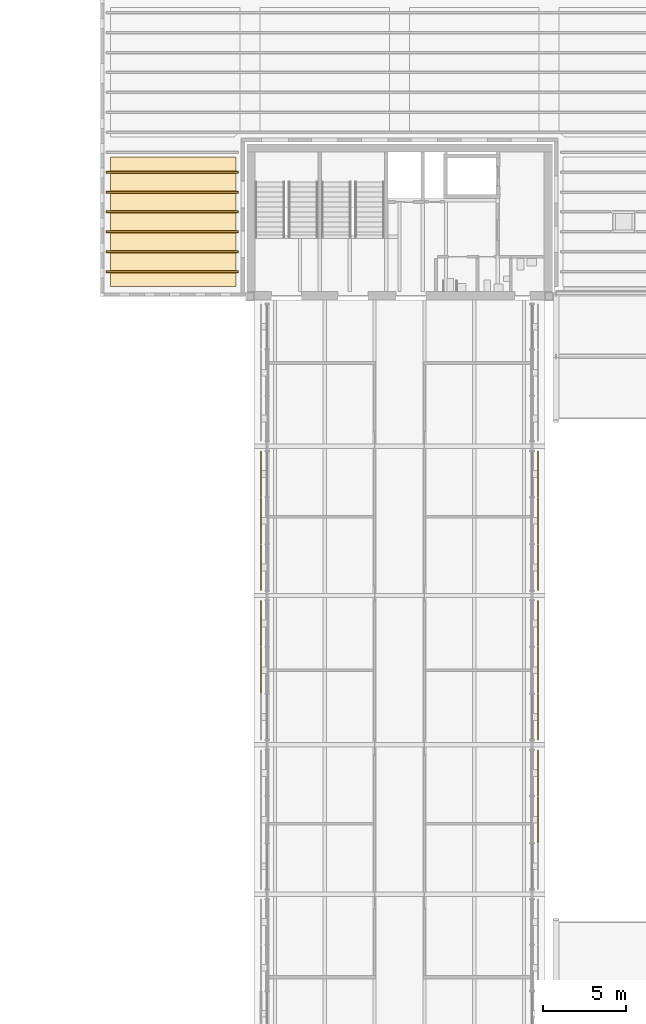
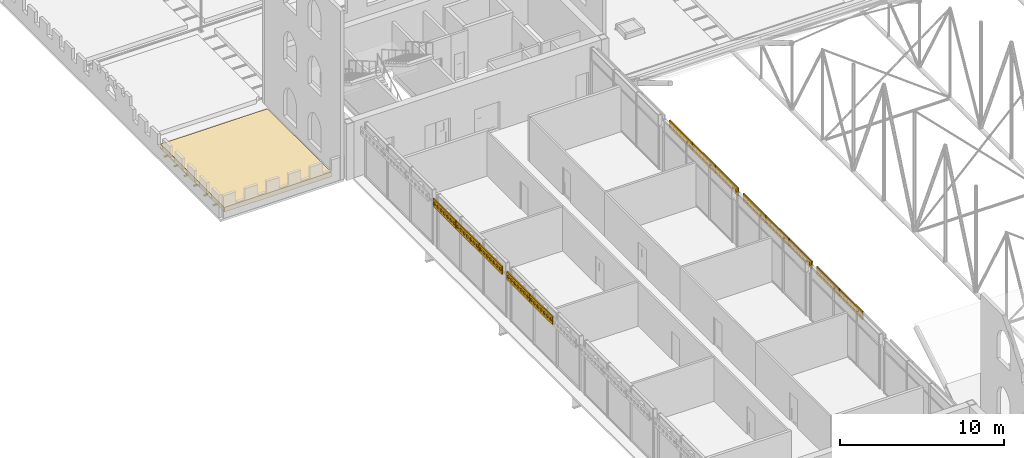
# One storey, part 139 of 153: 13 shading devices, 7 coverings.
"""IFC4 building model written with IfcOpenShell, lengths in metres."""

from ifc_helpers import new_model, si_unit, direction, frame, origin, place, context, subcontext, project, spatial, polyline, outline, extrude, material, layer, layer_set, type_object, element, save


model = new_model("IFC4")

# Units and contexts
model_context = context("Model", 3, precision=1e-05, world=origin(), true_north=direction((0.0, 1.0)))
body_context = subcontext(model_context, "Body", "Model", "MODEL_VIEW")
ifc_project = project(units=[si_unit("LENGTHUNIT", "METRE"), si_unit("AREAUNIT", "SQUARE_METRE"), si_unit("VOLUMEUNIT", "CUBIC_METRE"), si_unit("PLANEANGLEUNIT", "RADIAN"), si_unit("MASSUNIT", "GRAM", prefix="KILO")], contexts=[model_context])

# Site, building, storey
site_placement = place(None, origin())
site = spatial("IfcSite", under=ifc_project, at=site_placement, CompositionType="ELEMENT")
building_placement = place(site_placement, origin())
building = spatial("IfcBuilding", under=site, at=building_placement, Name="Baradari Gate Terminus", CompositionType="ELEMENT")
storey_placement = place(building_placement, frame((0.0, 0.0, 11.699951171875)))
storey = spatial("IfcBuildingStorey", under=building, at=storey_placement, Name="L02", CompositionType="ELEMENT", Elevation=11.699951171875)

# Shading devices
ifc_material_1 = material(Name="Concrete C50/60 precast", Category="concrete")
ifc_layer_1 = layer(ifc_material_1, 0.080078125)
ifc_layer_set_1 = layer_set([ifc_layer_1], Name="Concrete C50/60 precast")
shading_device_type = type_object("IfcShadingDeviceType", Name="Jali screen panel JS-3 80", PredefinedType="SHUTTER", material=ifc_layer_set_1)
shading_device_1_placement = place(storey_placement, frame((72.659912109375, 57.103271484375, 3.280029296875), z_axis=(0.0, 0.0, 1.0), x_axis=(0.0, 1.0, 0.0)))
element("IfcShadingDevice", 1, at=shading_device_1_placement, inside=storey, type_object=shading_device_type, Name="Jali screen panel JS-1 L02/GW3 bay 2", PredefinedType="SHUTTER", context=body_context, shape_type="SweptSolid", body=[
    extrude(outline(polyline([(0.0, 0.0), (2.79345703125, 0.0), (2.79345703125, 0.60009765625), (0.0, 0.60009765625), (0.0, 0.0)]), holes=[polyline([(0.32958984375, 0.300048828125), (0.264404296875, 0.1875), (0.134521484375, 0.1875), (0.069580078125, 0.300048828125), (0.134521484375, 0.41259765625), (0.264404296875, 0.41259765625), (0.32958984375, 0.300048828125)]), polyline([(0.728515625, 0.300048828125), (0.66357421875, 0.1875), (0.53369140625, 0.1875), (0.468505859375, 0.300048828125), (0.53369140625, 0.41259765625), (0.66357421875, 0.41259765625), (0.728515625, 0.300048828125)]), polyline([(1.127685546875, 0.300048828125), (1.0625, 0.1875), (0.9326171875, 0.1875), (0.86767578125, 0.300048828125), (0.9326171875, 0.41259765625), (1.0625, 0.41259765625), (1.127685546875, 0.300048828125)]), polyline([(1.526611328125, 0.300048828125), (1.461669921875, 0.1875), (1.331787109375, 0.1875), (1.2666015625, 0.300048828125), (1.331787109375, 0.41259765625), (1.461669921875, 0.41259765625), (1.526611328125, 0.300048828125)]), polyline([(1.92578125, 0.300048828125), (1.860595703125, 0.1875), (1.730712890625, 0.1875), (1.665771484375, 0.300048828125), (1.730712890625, 0.41259765625), (1.860595703125, 0.41259765625), (1.92578125, 0.300048828125)]), polyline([(2.32470703125, 0.300048828125), (2.259765625, 0.1875), (2.1298828125, 0.1875), (2.064697265625, 0.300048828125), (2.1298828125, 0.41259765625), (2.259765625, 0.41259765625), (2.32470703125, 0.300048828125)]), polyline([(2.723876953125, 0.300048828125), (2.65869140625, 0.1875), (2.52880859375, 0.1875), (2.4638671875, 0.300048828125), (2.52880859375, 0.41259765625), (2.65869140625, 0.41259765625), (2.723876953125, 0.300048828125)])]), frame((0.0, 0.0400390625, 0.0), z_axis=(0.0, -1.0, 0.0), x_axis=(1.0, 0.0, 0.0)), (0.0, 0.0, 1.0), 0.080078125),
])
shading_device_2_placement = place(storey_placement, frame((72.659912109375, 59.936767578125, 3.280029296875), z_axis=(0.0, 0.0, 1.0), x_axis=(0.0, 1.0, 0.0)))
element("IfcShadingDevice", 2, at=shading_device_2_placement, inside=storey, type_object=shading_device_type, Name="Jali screen panel JS-1 L02/GW3 bay 3", PredefinedType="SHUTTER", context=body_context, shape_type="SweptSolid", body=[
    extrude(outline(polyline([(0.0, 0.0), (2.773193359375, 0.0), (2.773193359375, 0.60009765625), (0.0, 0.60009765625), (0.0, 0.0)]), holes=[polyline([(0.328125, 0.300048828125), (0.26318359375, 0.1875), (0.133056640625, 0.1875), (0.068115234375, 0.300048828125), (0.133056640625, 0.41259765625), (0.26318359375, 0.41259765625), (0.328125, 0.300048828125)]), polyline([(0.724365234375, 0.300048828125), (0.6591796875, 0.1875), (0.529296875, 0.1875), (0.46435546875, 0.300048828125), (0.529296875, 0.41259765625), (0.6591796875, 0.41259765625), (0.724365234375, 0.300048828125)]), polyline([(1.120361328125, 0.300048828125), (1.055419921875, 0.1875), (0.925537109375, 0.1875), (0.860595703125, 0.300048828125), (0.925537109375, 0.41259765625), (1.055419921875, 0.41259765625), (1.120361328125, 0.300048828125)]), polyline([(1.5166015625, 0.300048828125), (1.45166015625, 0.1875), (1.32177734375, 0.1875), (1.256591796875, 0.300048828125), (1.32177734375, 0.41259765625), (1.45166015625, 0.41259765625), (1.5166015625, 0.300048828125)]), polyline([(1.912841796875, 0.300048828125), (1.847900390625, 0.1875), (1.7177734375, 0.1875), (1.65283203125, 0.300048828125), (1.7177734375, 0.41259765625), (1.847900390625, 0.41259765625), (1.912841796875, 0.300048828125)]), polyline([(2.30908203125, 0.300048828125), (2.244140625, 0.1875), (2.114013671875, 0.1875), (2.049072265625, 0.300048828125), (2.114013671875, 0.41259765625), (2.244140625, 0.41259765625), (2.30908203125, 0.300048828125)]), polyline([(2.705322265625, 0.300048828125), (2.64013671875, 0.1875), (2.51025390625, 0.1875), (2.4453125, 0.300048828125), (2.51025390625, 0.41259765625), (2.64013671875, 0.41259765625), (2.705322265625, 0.300048828125)])]), frame((0.0, 0.0400390625, 0.0), z_axis=(0.0, -1.0, 0.0), x_axis=(1.0, 0.0, 0.0)), (0.0, 0.0, 1.0), 0.080078125),
])
shading_device_3_placement = place(storey_placement, frame((72.659912109375, 63.2900390625, 3.280029296875), z_axis=(0.0, 0.0, 1.0), x_axis=(0.0, 1.0, 0.0)))
element("IfcShadingDevice", 3, at=shading_device_3_placement, inside=storey, type_object=shading_device_type, Name="Jali screen panel JS-1 L02/GW4 bay 1", PredefinedType="SHUTTER", context=body_context, shape_type="SweptSolid", body=[
    extrude(outline(polyline([(0.0, 0.0), (2.773193359375, 0.0), (2.773193359375, 0.60009765625), (0.0, 0.60009765625), (0.0, 0.0)]), holes=[polyline([(0.328125, 0.300048828125), (0.26318359375, 0.1875), (0.133056640625, 0.1875), (0.068115234375, 0.300048828125), (0.133056640625, 0.41259765625), (0.26318359375, 0.41259765625), (0.328125, 0.300048828125)]), polyline([(0.724365234375, 0.300048828125), (0.6591796875, 0.1875), (0.529296875, 0.1875), (0.46435546875, 0.300048828125), (0.529296875, 0.41259765625), (0.6591796875, 0.41259765625), (0.724365234375, 0.300048828125)]), polyline([(1.120361328125, 0.300048828125), (1.055419921875, 0.1875), (0.925537109375, 0.1875), (0.860595703125, 0.300048828125), (0.925537109375, 0.41259765625), (1.055419921875, 0.41259765625), (1.120361328125, 0.300048828125)]), polyline([(1.5166015625, 0.300048828125), (1.45166015625, 0.1875), (1.32177734375, 0.1875), (1.256591796875, 0.300048828125), (1.32177734375, 0.41259765625), (1.45166015625, 0.41259765625), (1.5166015625, 0.300048828125)]), polyline([(1.912841796875, 0.300048828125), (1.847900390625, 0.1875), (1.7177734375, 0.1875), (1.65283203125, 0.300048828125), (1.7177734375, 0.41259765625), (1.847900390625, 0.41259765625), (1.912841796875, 0.300048828125)]), polyline([(2.30908203125, 0.300048828125), (2.244140625, 0.1875), (2.114013671875, 0.1875), (2.049072265625, 0.300048828125), (2.114013671875, 0.41259765625), (2.244140625, 0.41259765625), (2.30908203125, 0.300048828125)]), polyline([(2.705322265625, 0.300048828125), (2.64013671875, 0.1875), (2.51025390625, 0.1875), (2.4453125, 0.300048828125), (2.51025390625, 0.41259765625), (2.64013671875, 0.41259765625), (2.705322265625, 0.300048828125)])]), frame((0.0, 0.0400390625, 0.0), z_axis=(0.0, -1.0, 0.0), x_axis=(1.0, 0.0, 0.0)), (0.0, 0.0, 1.0), 0.080078125),
])
shading_device_4_placement = place(storey_placement, frame((72.659912109375, 66.103271484375, 3.280029296875), z_axis=(0.0, 0.0, 1.0), x_axis=(0.0, 1.0, 0.0)))
element("IfcShadingDevice", 4, at=shading_device_4_placement, inside=storey, type_object=shading_device_type, Name="Jali screen panel JS-1 L02/GW4 bay 2", PredefinedType="SHUTTER", context=body_context, shape_type="SweptSolid", body=[
    extrude(outline(polyline([(0.0, 0.0), (2.79345703125, 0.0), (2.79345703125, 0.60009765625), (0.0, 0.60009765625), (0.0, 0.0)]), holes=[polyline([(0.32958984375, 0.300048828125), (0.264404296875, 0.1875), (0.134521484375, 0.1875), (0.069580078125, 0.300048828125), (0.134521484375, 0.41259765625), (0.264404296875, 0.41259765625), (0.32958984375, 0.300048828125)]), polyline([(0.728515625, 0.300048828125), (0.66357421875, 0.1875), (0.53369140625, 0.1875), (0.468505859375, 0.300048828125), (0.53369140625, 0.41259765625), (0.66357421875, 0.41259765625), (0.728515625, 0.300048828125)]), polyline([(1.127685546875, 0.300048828125), (1.0625, 0.1875), (0.9326171875, 0.1875), (0.86767578125, 0.300048828125), (0.9326171875, 0.41259765625), (1.0625, 0.41259765625), (1.127685546875, 0.300048828125)]), polyline([(1.526611328125, 0.300048828125), (1.461669921875, 0.1875), (1.331787109375, 0.1875), (1.2666015625, 0.300048828125), (1.331787109375, 0.41259765625), (1.461669921875, 0.41259765625), (1.526611328125, 0.300048828125)]), polyline([(1.92578125, 0.300048828125), (1.860595703125, 0.1875), (1.730712890625, 0.1875), (1.665771484375, 0.300048828125), (1.730712890625, 0.41259765625), (1.860595703125, 0.41259765625), (1.92578125, 0.300048828125)]), polyline([(2.32470703125, 0.300048828125), (2.259765625, 0.1875), (2.1298828125, 0.1875), (2.064697265625, 0.300048828125), (2.1298828125, 0.41259765625), (2.259765625, 0.41259765625), (2.32470703125, 0.300048828125)]), polyline([(2.723876953125, 0.300048828125), (2.65869140625, 0.1875), (2.52880859375, 0.1875), (2.4638671875, 0.300048828125), (2.52880859375, 0.41259765625), (2.65869140625, 0.41259765625), (2.723876953125, 0.300048828125)])]), frame((0.0, 0.0400390625, 0.0), z_axis=(0.0, -1.0, 0.0), x_axis=(1.0, 0.0, 0.0)), (0.0, 0.0, 1.0), 0.080078125),
])
shading_device_5_placement = place(storey_placement, frame((72.659912109375, 68.936767578125, 3.280029296875), z_axis=(0.0, 0.0, 1.0), x_axis=(0.0, 1.0, 0.0)))
element("IfcShadingDevice", 5, at=shading_device_5_placement, inside=storey, type_object=shading_device_type, Name="Jali screen panel JS-1 L02/GW4 bay 3", PredefinedType="SHUTTER", context=body_context, shape_type="SweptSolid", body=[
    extrude(outline(polyline([(0.0, 0.0), (2.773193359375, 0.0), (2.773193359375, 0.60009765625), (0.0, 0.60009765625), (0.0, 0.0)]), holes=[polyline([(0.328125, 0.300048828125), (0.26318359375, 0.1875), (0.133056640625, 0.1875), (0.068115234375, 0.300048828125), (0.133056640625, 0.41259765625), (0.26318359375, 0.41259765625), (0.328125, 0.300048828125)]), polyline([(0.724365234375, 0.300048828125), (0.6591796875, 0.1875), (0.529296875, 0.1875), (0.46435546875, 0.300048828125), (0.529296875, 0.41259765625), (0.6591796875, 0.41259765625), (0.724365234375, 0.300048828125)]), polyline([(1.120361328125, 0.300048828125), (1.055419921875, 0.1875), (0.925537109375, 0.1875), (0.860595703125, 0.300048828125), (0.925537109375, 0.41259765625), (1.055419921875, 0.41259765625), (1.120361328125, 0.300048828125)]), polyline([(1.5166015625, 0.300048828125), (1.45166015625, 0.1875), (1.32177734375, 0.1875), (1.256591796875, 0.300048828125), (1.32177734375, 0.41259765625), (1.45166015625, 0.41259765625), (1.5166015625, 0.300048828125)]), polyline([(1.912841796875, 0.300048828125), (1.847900390625, 0.1875), (1.7177734375, 0.1875), (1.65283203125, 0.300048828125), (1.7177734375, 0.41259765625), (1.847900390625, 0.41259765625), (1.912841796875, 0.300048828125)]), polyline([(2.30908203125, 0.300048828125), (2.244140625, 0.1875), (2.114013671875, 0.1875), (2.049072265625, 0.300048828125), (2.114013671875, 0.41259765625), (2.244140625, 0.41259765625), (2.30908203125, 0.300048828125)]), polyline([(2.705322265625, 0.300048828125), (2.64013671875, 0.1875), (2.51025390625, 0.1875), (2.4453125, 0.300048828125), (2.51025390625, 0.41259765625), (2.64013671875, 0.41259765625), (2.705322265625, 0.300048828125)])]), frame((0.0, 0.0400390625, 0.0), z_axis=(0.0, -1.0, 0.0), x_axis=(1.0, 0.0, 0.0)), (0.0, 0.0, 1.0), 0.080078125),
])
shading_device_6_placement = place(storey_placement, frame((89.340087890625, 48.103271484375, 3.280029296875), z_axis=(0.0, 0.0, 1.0), x_axis=(0.0, 1.0, 0.0)))
element("IfcShadingDevice", 6, at=shading_device_6_placement, inside=storey, type_object=shading_device_type, Name="Jali screen panel JS-1 L02/GE2 bay 2", PredefinedType="SHUTTER", context=body_context, shape_type="SweptSolid", body=[
    extrude(outline(polyline([(0.0, 0.0), (2.79345703125, 0.0), (2.79345703125, 0.60009765625), (0.0, 0.60009765625), (0.0, 0.0)]), holes=[polyline([(0.32958984375, 0.300048828125), (0.264404296875, 0.1875), (0.134521484375, 0.1875), (0.069580078125, 0.300048828125), (0.134521484375, 0.41259765625), (0.264404296875, 0.41259765625), (0.32958984375, 0.300048828125)]), polyline([(0.728515625, 0.300048828125), (0.66357421875, 0.1875), (0.53369140625, 0.1875), (0.468505859375, 0.300048828125), (0.53369140625, 0.41259765625), (0.66357421875, 0.41259765625), (0.728515625, 0.300048828125)]), polyline([(1.127685546875, 0.300048828125), (1.0625, 0.1875), (0.9326171875, 0.1875), (0.86767578125, 0.300048828125), (0.9326171875, 0.41259765625), (1.0625, 0.41259765625), (1.127685546875, 0.300048828125)]), polyline([(1.526611328125, 0.300048828125), (1.461669921875, 0.1875), (1.331787109375, 0.1875), (1.2666015625, 0.300048828125), (1.331787109375, 0.41259765625), (1.461669921875, 0.41259765625), (1.526611328125, 0.300048828125)]), polyline([(1.92578125, 0.300048828125), (1.860595703125, 0.1875), (1.730712890625, 0.1875), (1.665771484375, 0.300048828125), (1.730712890625, 0.41259765625), (1.860595703125, 0.41259765625), (1.92578125, 0.300048828125)]), polyline([(2.32470703125, 0.300048828125), (2.259765625, 0.1875), (2.1298828125, 0.1875), (2.064697265625, 0.300048828125), (2.1298828125, 0.41259765625), (2.259765625, 0.41259765625), (2.32470703125, 0.300048828125)]), polyline([(2.723876953125, 0.300048828125), (2.65869140625, 0.1875), (2.52880859375, 0.1875), (2.4638671875, 0.300048828125), (2.52880859375, 0.41259765625), (2.65869140625, 0.41259765625), (2.723876953125, 0.300048828125)])]), frame((0.0, 0.0400390625, 0.0), z_axis=(0.0, -1.0, 0.0), x_axis=(1.0, 0.0, 0.0)), (0.0, 0.0, 1.0), 0.080078125),
])
shading_device_7_placement = place(storey_placement, frame((89.340087890625, 50.936767578125, 3.280029296875), z_axis=(0.0, 0.0, 1.0), x_axis=(0.0, 1.0, 0.0)))
element("IfcShadingDevice", 7, at=shading_device_7_placement, inside=storey, type_object=shading_device_type, Name="Jali screen panel JS-1 L02/GE2 bay 3", PredefinedType="SHUTTER", context=body_context, shape_type="SweptSolid", body=[
    extrude(outline(polyline([(0.0, 0.0), (2.773193359375, 0.0), (2.773193359375, 0.60009765625), (0.0, 0.60009765625), (0.0, 0.0)]), holes=[polyline([(0.328125, 0.300048828125), (0.26318359375, 0.1875), (0.133056640625, 0.1875), (0.068115234375, 0.300048828125), (0.133056640625, 0.41259765625), (0.26318359375, 0.41259765625), (0.328125, 0.300048828125)]), polyline([(0.724365234375, 0.300048828125), (0.6591796875, 0.1875), (0.529296875, 0.1875), (0.46435546875, 0.300048828125), (0.529296875, 0.41259765625), (0.6591796875, 0.41259765625), (0.724365234375, 0.300048828125)]), polyline([(1.120361328125, 0.300048828125), (1.055419921875, 0.1875), (0.925537109375, 0.1875), (0.860595703125, 0.300048828125), (0.925537109375, 0.41259765625), (1.055419921875, 0.41259765625), (1.120361328125, 0.300048828125)]), polyline([(1.5166015625, 0.300048828125), (1.45166015625, 0.1875), (1.32177734375, 0.1875), (1.256591796875, 0.300048828125), (1.32177734375, 0.41259765625), (1.45166015625, 0.41259765625), (1.5166015625, 0.300048828125)]), polyline([(1.912841796875, 0.300048828125), (1.847900390625, 0.1875), (1.7177734375, 0.1875), (1.65283203125, 0.300048828125), (1.7177734375, 0.41259765625), (1.847900390625, 0.41259765625), (1.912841796875, 0.300048828125)]), polyline([(2.30908203125, 0.300048828125), (2.244140625, 0.1875), (2.114013671875, 0.1875), (2.049072265625, 0.300048828125), (2.114013671875, 0.41259765625), (2.244140625, 0.41259765625), (2.30908203125, 0.300048828125)]), polyline([(2.705322265625, 0.300048828125), (2.64013671875, 0.1875), (2.51025390625, 0.1875), (2.4453125, 0.300048828125), (2.51025390625, 0.41259765625), (2.64013671875, 0.41259765625), (2.705322265625, 0.300048828125)])]), frame((0.0, 0.0400390625, 0.0), z_axis=(0.0, -1.0, 0.0), x_axis=(1.0, 0.0, 0.0)), (0.0, 0.0, 1.0), 0.080078125),
])
shading_device_8_placement = place(storey_placement, frame((89.340087890625, 54.2900390625, 3.280029296875), z_axis=(0.0, 0.0, 1.0), x_axis=(0.0, 1.0, 0.0)))
element("IfcShadingDevice", 8, at=shading_device_8_placement, inside=storey, type_object=shading_device_type, Name="Jali screen panel JS-1 L02/GE3 bay 1", PredefinedType="SHUTTER", context=body_context, shape_type="SweptSolid", body=[
    extrude(outline(polyline([(0.0, 0.0), (2.773193359375, 0.0), (2.773193359375, 0.60009765625), (0.0, 0.60009765625), (0.0, 0.0)]), holes=[polyline([(0.328125, 0.300048828125), (0.26318359375, 0.1875), (0.133056640625, 0.1875), (0.068115234375, 0.300048828125), (0.133056640625, 0.41259765625), (0.26318359375, 0.41259765625), (0.328125, 0.300048828125)]), polyline([(0.724365234375, 0.300048828125), (0.6591796875, 0.1875), (0.529296875, 0.1875), (0.46435546875, 0.300048828125), (0.529296875, 0.41259765625), (0.6591796875, 0.41259765625), (0.724365234375, 0.300048828125)]), polyline([(1.120361328125, 0.300048828125), (1.055419921875, 0.1875), (0.925537109375, 0.1875), (0.860595703125, 0.300048828125), (0.925537109375, 0.41259765625), (1.055419921875, 0.41259765625), (1.120361328125, 0.300048828125)]), polyline([(1.5166015625, 0.300048828125), (1.45166015625, 0.1875), (1.32177734375, 0.1875), (1.256591796875, 0.300048828125), (1.32177734375, 0.41259765625), (1.45166015625, 0.41259765625), (1.5166015625, 0.300048828125)]), polyline([(1.912841796875, 0.300048828125), (1.847900390625, 0.1875), (1.7177734375, 0.1875), (1.65283203125, 0.300048828125), (1.7177734375, 0.41259765625), (1.847900390625, 0.41259765625), (1.912841796875, 0.300048828125)]), polyline([(2.30908203125, 0.300048828125), (2.244140625, 0.1875), (2.114013671875, 0.1875), (2.049072265625, 0.300048828125), (2.114013671875, 0.41259765625), (2.244140625, 0.41259765625), (2.30908203125, 0.300048828125)]), polyline([(2.705322265625, 0.300048828125), (2.64013671875, 0.1875), (2.51025390625, 0.1875), (2.4453125, 0.300048828125), (2.51025390625, 0.41259765625), (2.64013671875, 0.41259765625), (2.705322265625, 0.300048828125)])]), frame((0.0, 0.0400390625, 0.0), z_axis=(0.0, -1.0, 0.0), x_axis=(1.0, 0.0, 0.0)), (0.0, 0.0, 1.0), 0.080078125),
])
shading_device_9_placement = place(storey_placement, frame((89.340087890625, 57.103271484375, 3.280029296875), z_axis=(0.0, 0.0, 1.0), x_axis=(0.0, 1.0, 0.0)))
element("IfcShadingDevice", 9, at=shading_device_9_placement, inside=storey, type_object=shading_device_type, Name="Jali screen panel JS-1 L02/GE3 bay 2", PredefinedType="SHUTTER", context=body_context, shape_type="SweptSolid", body=[
    extrude(outline(polyline([(0.0, 0.0), (2.79345703125, 0.0), (2.79345703125, 0.60009765625), (0.0, 0.60009765625), (0.0, 0.0)]), holes=[polyline([(0.32958984375, 0.300048828125), (0.264404296875, 0.1875), (0.134521484375, 0.1875), (0.069580078125, 0.300048828125), (0.134521484375, 0.41259765625), (0.264404296875, 0.41259765625), (0.32958984375, 0.300048828125)]), polyline([(0.728515625, 0.300048828125), (0.66357421875, 0.1875), (0.53369140625, 0.1875), (0.468505859375, 0.300048828125), (0.53369140625, 0.41259765625), (0.66357421875, 0.41259765625), (0.728515625, 0.300048828125)]), polyline([(1.127685546875, 0.300048828125), (1.0625, 0.1875), (0.9326171875, 0.1875), (0.86767578125, 0.300048828125), (0.9326171875, 0.41259765625), (1.0625, 0.41259765625), (1.127685546875, 0.300048828125)]), polyline([(1.526611328125, 0.300048828125), (1.461669921875, 0.1875), (1.331787109375, 0.1875), (1.2666015625, 0.300048828125), (1.331787109375, 0.41259765625), (1.461669921875, 0.41259765625), (1.526611328125, 0.300048828125)]), polyline([(1.92578125, 0.300048828125), (1.860595703125, 0.1875), (1.730712890625, 0.1875), (1.665771484375, 0.300048828125), (1.730712890625, 0.41259765625), (1.860595703125, 0.41259765625), (1.92578125, 0.300048828125)]), polyline([(2.32470703125, 0.300048828125), (2.259765625, 0.1875), (2.1298828125, 0.1875), (2.064697265625, 0.300048828125), (2.1298828125, 0.41259765625), (2.259765625, 0.41259765625), (2.32470703125, 0.300048828125)]), polyline([(2.723876953125, 0.300048828125), (2.65869140625, 0.1875), (2.52880859375, 0.1875), (2.4638671875, 0.300048828125), (2.52880859375, 0.41259765625), (2.65869140625, 0.41259765625), (2.723876953125, 0.300048828125)])]), frame((0.0, 0.0400390625, 0.0), z_axis=(0.0, -1.0, 0.0), x_axis=(1.0, 0.0, 0.0)), (0.0, 0.0, 1.0), 0.080078125),
])
shading_device_10_placement = place(storey_placement, frame((89.340087890625, 59.936767578125, 3.280029296875), z_axis=(0.0, 0.0, 1.0), x_axis=(0.0, 1.0, 0.0)))
element("IfcShadingDevice", 10, at=shading_device_10_placement, inside=storey, type_object=shading_device_type, Name="Jali screen panel JS-1 L02/GE3 bay 3", PredefinedType="SHUTTER", context=body_context, shape_type="SweptSolid", body=[
    extrude(outline(polyline([(0.0, 0.0), (2.773193359375, 0.0), (2.773193359375, 0.60009765625), (0.0, 0.60009765625), (0.0, 0.0)]), holes=[polyline([(0.328125, 0.300048828125), (0.26318359375, 0.1875), (0.133056640625, 0.1875), (0.068115234375, 0.300048828125), (0.133056640625, 0.41259765625), (0.26318359375, 0.41259765625), (0.328125, 0.300048828125)]), polyline([(0.724365234375, 0.300048828125), (0.6591796875, 0.1875), (0.529296875, 0.1875), (0.46435546875, 0.300048828125), (0.529296875, 0.41259765625), (0.6591796875, 0.41259765625), (0.724365234375, 0.300048828125)]), polyline([(1.120361328125, 0.300048828125), (1.055419921875, 0.1875), (0.925537109375, 0.1875), (0.860595703125, 0.300048828125), (0.925537109375, 0.41259765625), (1.055419921875, 0.41259765625), (1.120361328125, 0.300048828125)]), polyline([(1.5166015625, 0.300048828125), (1.45166015625, 0.1875), (1.32177734375, 0.1875), (1.256591796875, 0.300048828125), (1.32177734375, 0.41259765625), (1.45166015625, 0.41259765625), (1.5166015625, 0.300048828125)]), polyline([(1.912841796875, 0.300048828125), (1.847900390625, 0.1875), (1.7177734375, 0.1875), (1.65283203125, 0.300048828125), (1.7177734375, 0.41259765625), (1.847900390625, 0.41259765625), (1.912841796875, 0.300048828125)]), polyline([(2.30908203125, 0.300048828125), (2.244140625, 0.1875), (2.114013671875, 0.1875), (2.049072265625, 0.300048828125), (2.114013671875, 0.41259765625), (2.244140625, 0.41259765625), (2.30908203125, 0.300048828125)]), polyline([(2.705322265625, 0.300048828125), (2.64013671875, 0.1875), (2.51025390625, 0.1875), (2.4453125, 0.300048828125), (2.51025390625, 0.41259765625), (2.64013671875, 0.41259765625), (2.705322265625, 0.300048828125)])]), frame((0.0, 0.0400390625, 0.0), z_axis=(0.0, -1.0, 0.0), x_axis=(1.0, 0.0, 0.0)), (0.0, 0.0, 1.0), 0.080078125),
])
shading_device_11_placement = place(storey_placement, frame((89.340087890625, 63.2900390625, 3.280029296875), z_axis=(0.0, 0.0, 1.0), x_axis=(0.0, 1.0, 0.0)))
element("IfcShadingDevice", 11, at=shading_device_11_placement, inside=storey, type_object=shading_device_type, Name="Jali screen panel JS-1 L02/GE4 bay 1", PredefinedType="SHUTTER", context=body_context, shape_type="SweptSolid", body=[
    extrude(outline(polyline([(0.0, 0.0), (2.773193359375, 0.0), (2.773193359375, 0.60009765625), (0.0, 0.60009765625), (0.0, 0.0)]), holes=[polyline([(0.328125, 0.300048828125), (0.26318359375, 0.1875), (0.133056640625, 0.1875), (0.068115234375, 0.300048828125), (0.133056640625, 0.41259765625), (0.26318359375, 0.41259765625), (0.328125, 0.300048828125)]), polyline([(0.724365234375, 0.300048828125), (0.6591796875, 0.1875), (0.529296875, 0.1875), (0.46435546875, 0.300048828125), (0.529296875, 0.41259765625), (0.6591796875, 0.41259765625), (0.724365234375, 0.300048828125)]), polyline([(1.120361328125, 0.300048828125), (1.055419921875, 0.1875), (0.925537109375, 0.1875), (0.860595703125, 0.300048828125), (0.925537109375, 0.41259765625), (1.055419921875, 0.41259765625), (1.120361328125, 0.300048828125)]), polyline([(1.5166015625, 0.300048828125), (1.45166015625, 0.1875), (1.32177734375, 0.1875), (1.256591796875, 0.300048828125), (1.32177734375, 0.41259765625), (1.45166015625, 0.41259765625), (1.5166015625, 0.300048828125)]), polyline([(1.912841796875, 0.300048828125), (1.847900390625, 0.1875), (1.7177734375, 0.1875), (1.65283203125, 0.300048828125), (1.7177734375, 0.41259765625), (1.847900390625, 0.41259765625), (1.912841796875, 0.300048828125)]), polyline([(2.30908203125, 0.300048828125), (2.244140625, 0.1875), (2.114013671875, 0.1875), (2.049072265625, 0.300048828125), (2.114013671875, 0.41259765625), (2.244140625, 0.41259765625), (2.30908203125, 0.300048828125)]), polyline([(2.705322265625, 0.300048828125), (2.64013671875, 0.1875), (2.51025390625, 0.1875), (2.4453125, 0.300048828125), (2.51025390625, 0.41259765625), (2.64013671875, 0.41259765625), (2.705322265625, 0.300048828125)])]), frame((0.0, 0.0400390625, 0.0), z_axis=(0.0, -1.0, 0.0), x_axis=(1.0, 0.0, 0.0)), (0.0, 0.0, 1.0), 0.080078125),
])
shading_device_12_placement = place(storey_placement, frame((89.340087890625, 66.103271484375, 3.280029296875), z_axis=(0.0, 0.0, 1.0), x_axis=(0.0, 1.0, 0.0)))
element("IfcShadingDevice", 12, at=shading_device_12_placement, inside=storey, type_object=shading_device_type, Name="Jali screen panel JS-1 L02/GE4 bay 2", PredefinedType="SHUTTER", context=body_context, shape_type="SweptSolid", body=[
    extrude(outline(polyline([(0.0, 0.0), (2.79345703125, 0.0), (2.79345703125, 0.60009765625), (0.0, 0.60009765625), (0.0, 0.0)]), holes=[polyline([(0.32958984375, 0.300048828125), (0.264404296875, 0.1875), (0.134521484375, 0.1875), (0.069580078125, 0.300048828125), (0.134521484375, 0.41259765625), (0.264404296875, 0.41259765625), (0.32958984375, 0.300048828125)]), polyline([(0.728515625, 0.300048828125), (0.66357421875, 0.1875), (0.53369140625, 0.1875), (0.468505859375, 0.300048828125), (0.53369140625, 0.41259765625), (0.66357421875, 0.41259765625), (0.728515625, 0.300048828125)]), polyline([(1.127685546875, 0.300048828125), (1.0625, 0.1875), (0.9326171875, 0.1875), (0.86767578125, 0.300048828125), (0.9326171875, 0.41259765625), (1.0625, 0.41259765625), (1.127685546875, 0.300048828125)]), polyline([(1.526611328125, 0.300048828125), (1.461669921875, 0.1875), (1.331787109375, 0.1875), (1.2666015625, 0.300048828125), (1.331787109375, 0.41259765625), (1.461669921875, 0.41259765625), (1.526611328125, 0.300048828125)]), polyline([(1.92578125, 0.300048828125), (1.860595703125, 0.1875), (1.730712890625, 0.1875), (1.665771484375, 0.300048828125), (1.730712890625, 0.41259765625), (1.860595703125, 0.41259765625), (1.92578125, 0.300048828125)]), polyline([(2.32470703125, 0.300048828125), (2.259765625, 0.1875), (2.1298828125, 0.1875), (2.064697265625, 0.300048828125), (2.1298828125, 0.41259765625), (2.259765625, 0.41259765625), (2.32470703125, 0.300048828125)]), polyline([(2.723876953125, 0.300048828125), (2.65869140625, 0.1875), (2.52880859375, 0.1875), (2.4638671875, 0.300048828125), (2.52880859375, 0.41259765625), (2.65869140625, 0.41259765625), (2.723876953125, 0.300048828125)])]), frame((0.0, 0.0400390625, 0.0), z_axis=(0.0, -1.0, 0.0), x_axis=(1.0, 0.0, 0.0)), (0.0, 0.0, 1.0), 0.080078125),
])
shading_device_13_placement = place(storey_placement, frame((89.340087890625, 68.936767578125, 3.280029296875), z_axis=(0.0, 0.0, 1.0), x_axis=(0.0, 1.0, 0.0)))
element("IfcShadingDevice", 13, at=shading_device_13_placement, inside=storey, type_object=shading_device_type, Name="Jali screen panel JS-1 L02/GE4 bay 3", PredefinedType="SHUTTER", context=body_context, shape_type="SweptSolid", body=[
    extrude(outline(polyline([(0.0, 0.0), (2.773193359375, 0.0), (2.773193359375, 0.60009765625), (0.0, 0.60009765625), (0.0, 0.0)]), holes=[polyline([(0.328125, 0.300048828125), (0.26318359375, 0.1875), (0.133056640625, 0.1875), (0.068115234375, 0.300048828125), (0.133056640625, 0.41259765625), (0.26318359375, 0.41259765625), (0.328125, 0.300048828125)]), polyline([(0.724365234375, 0.300048828125), (0.6591796875, 0.1875), (0.529296875, 0.1875), (0.46435546875, 0.300048828125), (0.529296875, 0.41259765625), (0.6591796875, 0.41259765625), (0.724365234375, 0.300048828125)]), polyline([(1.120361328125, 0.300048828125), (1.055419921875, 0.1875), (0.925537109375, 0.1875), (0.860595703125, 0.300048828125), (0.925537109375, 0.41259765625), (1.055419921875, 0.41259765625), (1.120361328125, 0.300048828125)]), polyline([(1.5166015625, 0.300048828125), (1.45166015625, 0.1875), (1.32177734375, 0.1875), (1.256591796875, 0.300048828125), (1.32177734375, 0.41259765625), (1.45166015625, 0.41259765625), (1.5166015625, 0.300048828125)]), polyline([(1.912841796875, 0.300048828125), (1.847900390625, 0.1875), (1.7177734375, 0.1875), (1.65283203125, 0.300048828125), (1.7177734375, 0.41259765625), (1.847900390625, 0.41259765625), (1.912841796875, 0.300048828125)]), polyline([(2.30908203125, 0.300048828125), (2.244140625, 0.1875), (2.114013671875, 0.1875), (2.049072265625, 0.300048828125), (2.114013671875, 0.41259765625), (2.244140625, 0.41259765625), (2.30908203125, 0.300048828125)]), polyline([(2.705322265625, 0.300048828125), (2.64013671875, 0.1875), (2.51025390625, 0.1875), (2.4453125, 0.300048828125), (2.51025390625, 0.41259765625), (2.64013671875, 0.41259765625), (2.705322265625, 0.300048828125)])]), frame((0.0, 0.0400390625, 0.0), z_axis=(0.0, -1.0, 0.0), x_axis=(1.0, 0.0, 0.0)), (0.0, 0.0, 1.0), 0.080078125),
])

# Coverings
ifc_material_2 = material(Name="Planted substrate")
ifc_layer_2 = layer(ifc_material_2, 0.35009765625)
ifc_layer_set_2 = layer_set([ifc_layer_2], Name="Planted substrate")
covering_type_1 = type_object("IfcCoveringType", Name="Planted roof bed GR-1 350", PredefinedType="USERDEFINED", material=ifc_layer_set_2)
covering_1_placement = place(storey_placement, origin())
element("IfcCovering", 14, at=covering_1_placement, inside=storey, type_object=covering_type_1, Name="RF/L02/GRW0101-1", ObjectType="PLANTED BED", PredefinedType="USERDEFINED", context=body_context, shape_type="SweptSolid", body=[
    extrude(outline(polyline([(63.60009765625, 89.39990234375), (71.14990234375, 89.39990234375), (71.14990234375, 81.60009765625), (63.60009765625, 81.60009765625), (63.60009765625, 89.39990234375)])), origin(), (0.0, 0.0, 1.0), 0.35009765625),
])
ifc_material_3 = material(Name="Terracotta paving", Category="masonry")
ifc_layer_3 = layer(ifc_material_3, 0.050048828125)
ifc_layer_set_3 = layer_set([ifc_layer_3], Name="Terracotta paving")
covering_type_2 = type_object("IfcCoveringType", Name="Terracotta tile course RP-2 50", PredefinedType="FLOORING", material=ifc_layer_set_3)
covering_2_placement = place(storey_placement, frame((0.0, 0.0, 0.030029296875)))
element("IfcCovering", 15, at=covering_2_placement, inside=storey, type_object=covering_type_2, Name="Terracotta tile course RP-2 head-roof-west", PredefinedType="FLOORING", context=body_context, shape_type="SweptSolid", body=[
    extrude(outline(polyline([(71.300048828125, 82.43994140625), (71.300048828125, 82.56005859375), (63.35009765625, 82.56005859375), (63.35009765625, 82.43994140625), (71.300048828125, 82.43994140625)])), origin(), (0.0, 0.0, 1.0), 0.050048828125),
])
covering_3_placement = place(storey_placement, frame((0.0, 0.0, 0.030029296875)))
element("IfcCovering", 16, at=covering_3_placement, inside=storey, type_object=covering_type_2, Name="Terracotta tile course RP-2 head-roof-west", PredefinedType="FLOORING", context=body_context, shape_type="SweptSolid", body=[
    extrude(outline(polyline([(71.300048828125, 83.639892578125), (71.300048828125, 83.760009765625), (63.35009765625, 83.760009765625), (63.35009765625, 83.639892578125), (71.300048828125, 83.639892578125)])), origin(), (0.0, 0.0, 1.0), 0.050048828125),
])
covering_4_placement = place(storey_placement, frame((0.0, 0.0, 0.030029296875)))
element("IfcCovering", 17, at=covering_4_placement, inside=storey, type_object=covering_type_2, Name="Terracotta tile course RP-2 head-roof-west", PredefinedType="FLOORING", context=body_context, shape_type="SweptSolid", body=[
    extrude(outline(polyline([(71.300048828125, 84.840087890625), (71.300048828125, 84.9599609375), (63.35009765625, 84.9599609375), (63.35009765625, 84.840087890625), (71.300048828125, 84.840087890625)])), origin(), (0.0, 0.0, 1.0), 0.050048828125),
])
covering_5_placement = place(storey_placement, frame((0.0, 0.0, 0.030029296875)))
element("IfcCovering", 18, at=covering_5_placement, inside=storey, type_object=covering_type_2, Name="Terracotta tile course RP-2 head-roof-west", PredefinedType="FLOORING", context=body_context, shape_type="SweptSolid", body=[
    extrude(outline(polyline([(71.300048828125, 86.0400390625), (71.300048828125, 86.159912109375), (63.35009765625, 86.159912109375), (63.35009765625, 86.0400390625), (71.300048828125, 86.0400390625)])), origin(), (0.0, 0.0, 1.0), 0.050048828125),
])
covering_6_placement = place(storey_placement, frame((0.0, 0.0, 0.030029296875)))
element("IfcCovering", 19, at=covering_6_placement, inside=storey, type_object=covering_type_2, Name="Terracotta tile course RP-2 head-roof-west", PredefinedType="FLOORING", context=body_context, shape_type="SweptSolid", body=[
    extrude(outline(polyline([(71.300048828125, 87.239990234375), (71.300048828125, 87.360107421875), (63.35009765625, 87.360107421875), (63.35009765625, 87.239990234375), (71.300048828125, 87.239990234375)])), origin(), (0.0, 0.0, 1.0), 0.050048828125),
])
covering_7_placement = place(storey_placement, frame((0.0, 0.0, 0.030029296875)))
element("IfcCovering", 20, at=covering_7_placement, inside=storey, type_object=covering_type_2, Name="Terracotta tile course RP-2 head-roof-west", PredefinedType="FLOORING", context=body_context, shape_type="SweptSolid", body=[
    extrude(outline(polyline([(71.300048828125, 88.43994140625), (71.300048828125, 88.56005859375), (63.35009765625, 88.56005859375), (63.35009765625, 88.43994140625), (71.300048828125, 88.43994140625)])), origin(), (0.0, 0.0, 1.0), 0.050048828125),
])

save(model, "model.ifc")
